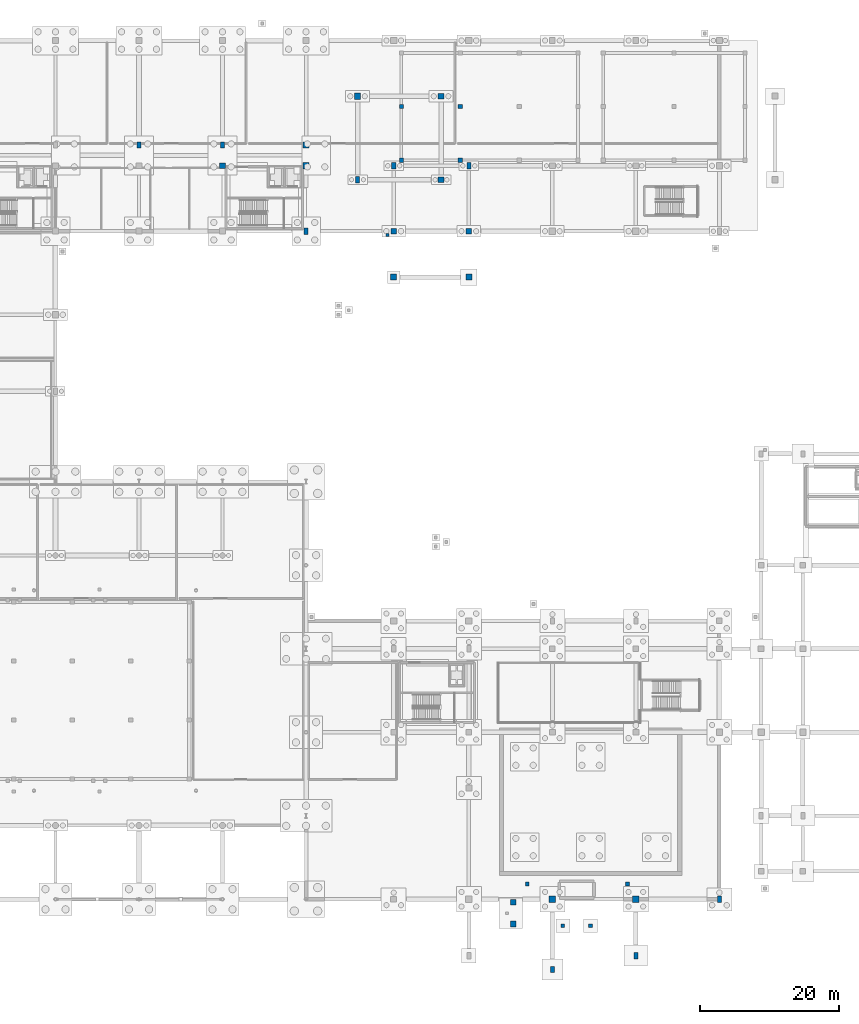
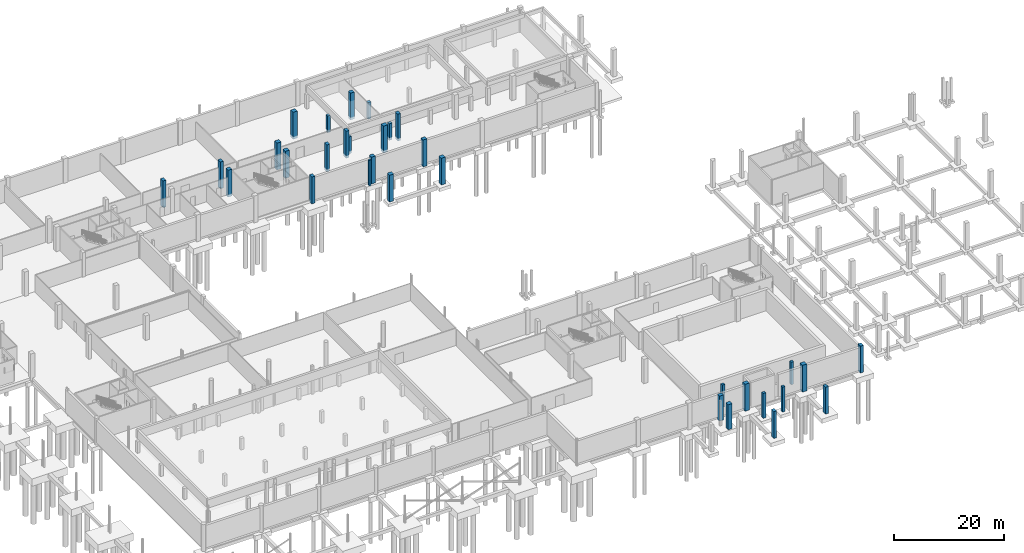
# One storey, part 21 of 42: 32 columns.
"""IFC4 building model written with IfcOpenShell, lengths in metres."""

from ifc_helpers import new_model, si_unit, direction, frame, origin, origin_2d, place, context, subcontext, project, spatial, rectangle, extrude, material, material_profile, profile_set, type_object, element, save


model = new_model("IFC4")

# Units and contexts
model_context = context("Model", 3, precision=1e-05, world=origin(), true_north=direction((0.0, 1.0)))
body_context = subcontext(model_context, "Body", "Model", "MODEL_VIEW")
ifc_project = project(units=[si_unit("LENGTHUNIT", "METRE"), si_unit("AREAUNIT", "SQUARE_METRE"), si_unit("VOLUMEUNIT", "CUBIC_METRE"), si_unit("PLANEANGLEUNIT", "RADIAN"), si_unit("MASSUNIT", "GRAM", prefix="KILO"), si_unit("THERMODYNAMICTEMPERATUREUNIT", "KELVIN"), si_unit("POWERUNIT", "WATT")], contexts=[model_context])

# Site, building, storey
site_placement = place(None, origin())
site = spatial("IfcSite", under=ifc_project, at=site_placement, CompositionType="ELEMENT")
building_placement = place(site_placement, origin())
building = spatial("IfcBuilding", under=site, at=building_placement, Name="Solmara Park Aquatics Centre", CompositionType="ELEMENT")
storey_placement = place(building_placement, frame((0.0, 0.0, -5.39990234375)))
storey = spatial("IfcBuildingStorey", under=building, at=storey_placement, Name="B1", CompositionType="ELEMENT", Elevation=-5.39990234375)

# Columns
ifc_material = material(Name="Concrete C40/50", Category="concrete")
ifc_material_profile_1 = material_profile(ifc_material, rectangle(XDim=0.39990234375, YDim=0.39990234375, at=origin_2d()), Name="RC 400x400")
ifc_profile_set_1 = profile_set([ifc_material_profile_1], Name="Concrete C40/50")
column_type_1 = type_object("IfcColumnType", Name="STR-COL-RC400", PredefinedType="COLUMN", material=ifc_profile_set_1)
column_1_placement = place(storey_placement, frame((108.300048828125, 108.050048828125, -0.550048828125), z_axis=(0.0, 0.0, 1.0), x_axis=(1.0, 0.0, 0.0)))
element("IfcColumn", 1, at=column_1_placement, inside=storey, type_object=column_type_1, Name="Apron Foundation Pier SLB-L00-APR-C-3", PredefinedType="COLUMN", context=body_context, shape_type="SweptSolid", body=[
    extrude(rectangle(XDim=0.39990234375, YDim=0.39990234375, at=origin_2d()), origin(), (0.0, 0.0, 1.0), 5.64990234375),
])
ifc_material_profile_2 = material_profile(ifc_material, rectangle(XDim=0.550048828125, YDim=0.550048828125, at=origin_2d()), Name="RC 550x550")
ifc_profile_set_2 = profile_set([ifc_material_profile_2], Name="Concrete C40/50")
column_type_2 = type_object("IfcColumnType", Name="STR-COL-RC550", PredefinedType="COLUMN", material=ifc_profile_set_2)
for number, where, z_axis, x_axis, name in (
    (2, (128.39990234375, 14.800048828125, 0.0), (0.0, 0.0, 1.0), (1.0, 0.0, 0.0), "Diving Pylon Column B1 128-14"),
    (3, (142.800048828125, 14.800048828125, 0.0), (0.0, 0.0, 1.0), (1.0, 0.0, 0.0), "Diving Pylon Column B1 142-14"),
):
    element("IfcColumn", number, at=place(storey_placement, frame(where, z_axis=z_axis, x_axis=x_axis)), inside=storey, type_object=column_type_2, Name=name, PredefinedType="COLUMN", context=body_context, shape_type="SweptSolid", body=[
        extrude(rectangle(XDim=0.550048828125, YDim=0.550048828125, at=origin_2d()), origin(), (0.0, 0.0, 1.0), 4.97998046875),
    ])
for number, where, z_axis, x_axis, name in (
    (4, (133.5, 8.800048828125, -0.550048828125), (0.0, 0.0, 1.0), (1.0, 0.0, 0.0), "Diving Pylon Column B1 133-8"),
    (5, (137.5, 8.800048828125, -0.550048828125), (0.0, 0.0, 1.0), (1.0, 0.0, 0.0), "Diving Pylon Column B1 137-8"),
):
    element("IfcColumn", number, at=place(storey_placement, frame(where, z_axis=z_axis, x_axis=x_axis)), inside=storey, type_object=column_type_2, Name=name, PredefinedType="COLUMN", context=body_context, shape_type="SweptSolid", body=[
        extrude(rectangle(XDim=0.550048828125, YDim=0.550048828125, at=origin_2d()), origin(), (0.0, 0.0, 1.0), 5.530029296875),
    ])
ifc_material_profile_3 = material_profile(ifc_material, rectangle(XDim=0.60009765625, YDim=0.60009765625, at=origin_2d()), Name="RC 600x600")
ifc_profile_set_3 = profile_set([ifc_material_profile_3], Name="Concrete C40/50")
column_type_3 = type_object("IfcColumnType", Name="STR-COL-RC600", PredefinedType="COLUMN", material=ifc_profile_set_3)
for number, where, z_axis, x_axis, name in (
    (6, (110.300048828125, 118.800048828125, -0.550048828125), (0.0, 0.0, 1.0), (1.0, 0.0, 0.0), "Pool Tank Support Column 029"),
    (7, (110.300048828125, 126.5, -0.550048828125), (0.0, 0.0, 1.0), (1.0, 0.0, 0.0), "Pool Tank Support Column 030"),
    (8, (118.7666015625, 118.800048828125, -0.550048828125), (0.0, 0.0, 1.0), (1.0, 0.0, 0.0), "Pool Tank Support Column 032"),
    (9, (118.7666015625, 126.5, -0.550048828125), (0.0, 0.0, 1.0), (1.0, 0.0, 0.0), "Pool Tank Support Column 033"),
):
    element("IfcColumn", number, at=place(storey_placement, frame(where, z_axis=z_axis, x_axis=x_axis)), inside=storey, type_object=column_type_3, Name=name, PredefinedType="COLUMN", context=body_context, shape_type="SweptSolid", body=[
        extrude(rectangle(XDim=0.60009765625, YDim=0.60009765625, at=origin_2d()), origin(), (0.0, 0.0, 1.0), 3.699951171875),
    ])
ifc_material_profile_4 = material_profile(ifc_material, rectangle(XDim=0.60009765625, YDim=0.89990234375, at=origin_2d()), Name="RC 600x900")
ifc_profile_set_4 = profile_set([ifc_material_profile_4], Name="Concrete C40/50")
column_type_4 = type_object("IfcColumnType", Name="STR-COL-RC600x900", PredefinedType="COLUMN", material=ifc_profile_set_4)
for number, where, z_axis, x_axis, name in (
    (10, (72.60009765625, 121.0, -0.550048828125), (0.0, 0.0, 1.0), (1.0, 0.0, 0.0), "Column B1-0056"),
    (11, (84.60009765625, 121.0, -0.550048828125), (0.0, 0.0, 1.0), (1.0, 0.0, 0.0), "Column B1-0064"),
    (12, (96.60009765625, 108.60009765625, -0.550048828125), (0.0, 0.0, 1.0), (1.0, 0.0, 0.0), "Column B1-0072"),
    (13, (104.0, 116.0, -0.550048828125), (0.0, 0.0, 1.0), (1.0, 0.0, 0.0), "Column B1-0076"),
    (14, (109.199951171875, 118.0, -0.550048828125), (0.0, 0.0, 1.0), (1.0, 0.0, 0.0), "Column B1-0084"),
    (15, (120.0, 118.0, -0.550048828125), (0.0, 0.0, 1.0), (1.0, 0.0, 0.0), "Column B1-0096"),
    (16, (132.0, 2.5, -0.550048828125), (0.0, 0.0, 1.0), (1.0, 0.0, 0.0), "Column B1-0100"),
    (17, (144.0, 4.5, -0.550048828125), (0.0, 0.0, 1.0), (1.0, 0.0, 0.0), "Column B1-0108"),
    (18, (156.0, 12.60009765625, -0.550048828125), (0.0, 0.0, 1.0), (1.0, 0.0, 0.0), "Column B1-0116"),
):
    element("IfcColumn", number, at=place(storey_placement, frame(where, z_axis=z_axis, x_axis=x_axis)), inside=storey, type_object=column_type_4, Name=name, PredefinedType="COLUMN", context=body_context, shape_type="SweptSolid", body=[
        extrude(rectangle(XDim=0.60009765625, YDim=0.89990234375, at=origin_2d()), origin(), (0.0, 0.0, 1.0), 5.949951171875),
    ])
ifc_material_profile_5 = material_profile(ifc_material, rectangle(XDim=0.800048828125, YDim=0.800048828125, at=origin_2d()), Name="RC 800x800")
ifc_profile_set_5 = profile_set([ifc_material_profile_5], Name="Concrete C40/50")
column_type_5 = type_object("IfcColumnType", Name="STR-COL-RC800", PredefinedType="COLUMN", material=ifc_profile_set_5)
for number, where, z_axis, x_axis, name in (
    (19, (84.60009765625, 118.0, -0.550048828125), (0.0, 0.0, 1.0), (1.0, 0.0, 0.0), "Column B1-0063"),
    (20, (109.199951171875, 108.60009765625, -0.550048828125), (0.0, 0.0, 1.0), (1.0, 0.0, 0.0), "Column B1-0083"),
    (21, (116.0, 128.0, -0.550048828125), (0.0, 0.0, 1.0), (1.0, 0.0, 0.0), "Column B1-0087"),
    (22, (120.0, 108.60009765625, -0.550048828125), (0.0, 0.0, 1.0), (1.0, 0.0, 0.0), "Column B1-0095"),
):
    element("IfcColumn", number, at=place(storey_placement, frame(where, z_axis=z_axis, x_axis=x_axis)), inside=storey, type_object=column_type_5, Name=name, PredefinedType="COLUMN", context=body_context, shape_type="SweptSolid", body=[
        extrude(rectangle(XDim=0.800048828125, YDim=0.800048828125, at=origin_2d()), origin(), (0.0, 0.0, 1.0), 5.949951171875),
    ])
column_2_placement = place(storey_placement, frame((126.3798828125, 12.14990234375, -0.550048828125), z_axis=(0.0, 0.0, 1.0), x_axis=(1.0, 0.0, 0.0)))
element("IfcColumn", 23, at=column_2_placement, inside=storey, type_object=column_type_5, Name="Column B1-0099", PredefinedType="COLUMN", context=body_context, shape_type="SweptSolid", body=[
    extrude(rectangle(XDim=0.800048828125, YDim=0.800048828125, at=origin_2d()), origin(), (0.0, 0.0, 1.0), 5.530029296875),
])
ifc_material_profile_6 = material_profile(ifc_material, rectangle(XDim=0.85009765625, YDim=0.85009765625, at=origin_2d()), Name="RC 850x850")
ifc_profile_set_6 = profile_set([ifc_material_profile_6], Name="Concrete C40/50")
column_type_6 = type_object("IfcColumnType", Name="STR-COL-RC850", PredefinedType="COLUMN", material=ifc_profile_set_6)
for number, where, z_axis, x_axis, name in (
    (24, (96.60009765625, 121.0, -0.550048828125), (0.0, 0.0, 1.0), (1.0, 0.0, 0.0), "Column B1-0074"),
    (25, (109.199951171875, 102.0, -0.550048828125), (0.0, 0.0, 1.0), (1.0, 0.0, 0.0), "Column B1-0082"),
    (26, (116.0, 116.0, -0.550048828125), (0.0, 0.0, 1.0), (1.0, 0.0, 0.0), "Column B1-0086"),
    (27, (120.0, 102.0, -0.550048828125), (0.0, 0.0, 1.0), (1.0, 0.0, 0.0), "Column B1-0094"),
):
    element("IfcColumn", number, at=place(storey_placement, frame(where, z_axis=z_axis, x_axis=x_axis)), inside=storey, type_object=column_type_6, Name=name, PredefinedType="COLUMN", context=body_context, shape_type="SweptSolid", body=[
        extrude(rectangle(XDim=0.85009765625, YDim=0.85009765625, at=origin_2d()), origin(), (0.0, 0.0, 1.0), 5.949951171875),
    ])
column_3_placement = place(storey_placement, frame((126.3798828125, 9.050048828125, -0.550048828125), z_axis=(0.0, 0.0, 1.0), x_axis=(1.0, 0.0, 0.0)))
element("IfcColumn", 28, at=column_3_placement, inside=storey, type_object=column_type_6, Name="Column B1-0098", PredefinedType="COLUMN", context=body_context, shape_type="SweptSolid", body=[
    extrude(rectangle(XDim=0.85009765625, YDim=0.85009765625, at=origin_2d()), origin(), (0.0, 0.0, 1.0), 5.530029296875),
])
ifc_material_profile_7 = material_profile(ifc_material, rectangle(XDim=0.89990234375, YDim=0.89990234375, at=origin_2d()), Name="RC 900x900")
ifc_profile_set_7 = profile_set([ifc_material_profile_7], Name="Concrete C40/50")
column_type_7 = type_object("IfcColumnType", Name="STR-COL-RC900", PredefinedType="COLUMN", material=ifc_profile_set_7)
for number, where, z_axis, x_axis, name in (
    (29, (96.60009765625, 118.0, -0.550048828125), (0.0, 0.0, 1.0), (1.0, 0.0, 0.0), "Column B1-0073"),
    (30, (104.0, 128.0, -0.550048828125), (0.0, 0.0, 1.0), (1.0, 0.0, 0.0), "Column B1-0077"),
    (31, (132.0, 12.60009765625, -0.550048828125), (0.0, 0.0, 1.0), (1.0, 0.0, 0.0), "Column B1-0101"),
    (32, (144.0, 12.60009765625, -0.550048828125), (0.0, 0.0, 1.0), (1.0, 0.0, 0.0), "Column B1-0109"),
):
    element("IfcColumn", number, at=place(storey_placement, frame(where, z_axis=z_axis, x_axis=x_axis)), inside=storey, type_object=column_type_7, Name=name, PredefinedType="COLUMN", context=body_context, shape_type="SweptSolid", body=[
        extrude(rectangle(XDim=0.89990234375, YDim=0.89990234375, at=origin_2d()), origin(), (0.0, 0.0, 1.0), 5.949951171875),
    ])

save(model, "model.ifc")
